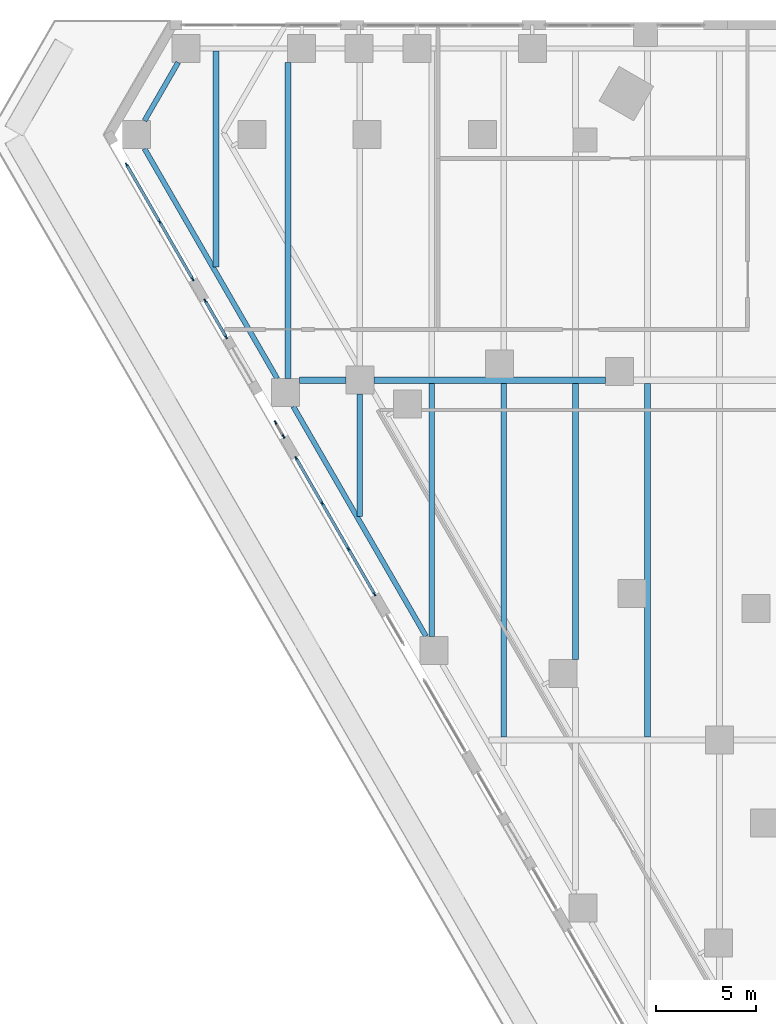
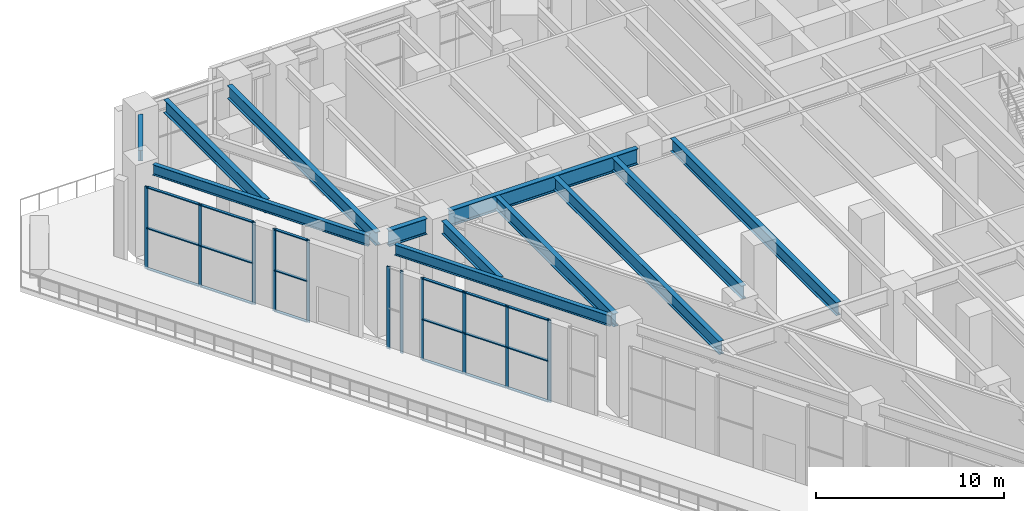
# One storey, part 11 of 40: 29 members, 12 beams, 4 elements without a shape of their own.
"""IFC4 building model written with IfcOpenShell, lengths in metres."""

from ifc_helpers import new_model, si_unit, direction, frame, origin, origin_2d, place, context, subcontext, project, spatial, rectangle, i_section, extrude, material, material_profile, profile_set, type_object, element, aggregate, save


model = new_model("IFC4")

# Units and contexts
model_context = context("Model", 3, precision=1e-05, world=origin(), true_north=direction((0.0, 1.0)))
body_context = subcontext(model_context, "Body", "Model", "MODEL_VIEW")
ifc_project = project(units=[si_unit("LENGTHUNIT", "METRE"), si_unit("AREAUNIT", "SQUARE_METRE"), si_unit("VOLUMEUNIT", "CUBIC_METRE"), si_unit("PLANEANGLEUNIT", "RADIAN"), si_unit("MASSUNIT", "GRAM", prefix="KILO")], contexts=[model_context])

# Site, building, storey
site_placement = place(None, origin())
site = spatial("IfcSite", under=ifc_project, at=site_placement, CompositionType="ELEMENT")
building_placement = place(site_placement, origin())
building = spatial("IfcBuilding", under=site, at=building_placement, Name="Aloe Facet Convention Tower", CompositionType="ELEMENT")
storey_placement = place(building_placement, frame((0.0, 0.0, 13.5)))
storey = spatial("IfcBuildingStorey", under=building, at=storey_placement, Name="L02", CompositionType="ELEMENT", Elevation=13.5)

# Curtain wall, members
ifc_material_1 = material(Name="Aluminium, anodised", Category="aluminium")
curtain_wall_type = type_object("IfcCurtainWallType", Name="EV-CW-HALL", PredefinedType="USERDEFINED", material=ifc_material_1)
curtain_wall_1_placement = place(storey_placement, origin())
curtain_wall_1 = element("IfcCurtainWall", 1, at=curtain_wall_1_placement, inside=storey, type_object=curtain_wall_type, Name="CW-L02-W02", ObjectType="UNITISED HALL GLAZING", PredefinedType="USERDEFINED")
ifc_material_2 = material(Name="Aluminium, anodised", Category="aluminium")
ifc_material_profile_1 = material_profile(ifc_material_2, rectangle(XDim=0.06494140625, YDim=0.199951171875, at=origin_2d()), Name="AL 65x200")
ifc_profile_set_1 = profile_set([ifc_material_profile_1], Name="Aluminium, anodised")
member_type_1 = type_object("IfcMemberType", Name="EV-MULL-HALL", PredefinedType="MULLION", material=ifc_profile_set_1)
member_1_placement = place(storey_placement, frame((32.333740234375, 127.781005859375, -0.300048828125), z_axis=(0.0, 0.0, 1.0), x_axis=(0.866025403828, 0.499999999924, 0.0)))
member_1 = element("IfcMember", 2, at=member_1_placement, type_object=member_type_1, Name="CW-L02-W02 mullion 1", PredefinedType="MULLION", context=body_context, shape_type="SweptSolid", body=[
    extrude(rectangle(XDim=0.06494140625, YDim=0.199951171875, at=origin_2d()), origin(), (0.0, 0.0, 1.0), 5.362548828125),
])
member_2_placement = place(storey_placement, frame((33.98388671875, 124.9228515625, -0.300048828125), z_axis=(0.0, 0.0, 1.0), x_axis=(0.866025403828, 0.499999999924, 0.0)))
member_2 = element("IfcMember", 3, at=member_2_placement, type_object=member_type_1, Name="CW-L02-W02 mullion 2", PredefinedType="MULLION", context=body_context, shape_type="SweptSolid", body=[
    extrude(rectangle(XDim=0.06494140625, YDim=0.199951171875, at=origin_2d()), origin(), (0.0, 0.0, 1.0), 5.362548828125),
])
member_3_placement = place(storey_placement, frame((35.634033203125, 122.064697265625, -0.300048828125), z_axis=(0.0, 0.0, 1.0), x_axis=(0.866025403828, 0.499999999924, 0.0)))
member_3 = element("IfcMember", 4, at=member_3_placement, type_object=member_type_1, Name="CW-L02-W02 mullion 3", PredefinedType="MULLION", context=body_context, shape_type="SweptSolid", body=[
    extrude(rectangle(XDim=0.06494140625, YDim=0.199951171875, at=origin_2d()), origin(), (0.0, 0.0, 1.0), 5.362548828125),
])

curtain_wall_2_placement = place(storey_placement, origin())
curtain_wall_2 = element("IfcCurtainWall", 5, at=curtain_wall_2_placement, inside=storey, type_object=curtain_wall_type, Name="CW-L02-W04A", ObjectType="UNITISED HALL GLAZING", PredefinedType="USERDEFINED")
member_4_placement = place(storey_placement, frame((36.2666015625, 120.96923828125, -0.300048828125), z_axis=(0.0, 0.0, 1.0), x_axis=(0.866025403933, 0.499999999743, 0.0)))
member_4 = element("IfcMember", 6, at=member_4_placement, type_object=member_type_1, Name="CW-L02-W04A mullion 1", PredefinedType="MULLION", context=body_context, shape_type="SweptSolid", body=[
    extrude(rectangle(XDim=0.06494140625, YDim=0.199951171875, at=origin_2d()), origin(), (0.0, 0.0, 1.0), 5.362548828125),
])
member_5_placement = place(storey_placement, frame((37.30859375, 119.1640625, -0.300048828125), z_axis=(0.0, 0.0, 1.0), x_axis=(0.866025403933, 0.499999999743, 0.0)))
member_5 = element("IfcMember", 7, at=member_5_placement, type_object=member_type_1, Name="CW-L02-W04A mullion 2", PredefinedType="MULLION", context=body_context, shape_type="SweptSolid", body=[
    extrude(rectangle(XDim=0.06494140625, YDim=0.199951171875, at=origin_2d()), origin(), (0.0, 0.0, 1.0), 5.362548828125),
])

curtain_wall_3_placement = place(storey_placement, origin())
curtain_wall_3 = element("IfcCurtainWall", 8, at=curtain_wall_3_placement, inside=storey, type_object=curtain_wall_type, Name="CW-L02-W04B", ObjectType="UNITISED HALL GLAZING", PredefinedType="USERDEFINED")
member_6_placement = place(storey_placement, frame((39.781005859375, 114.882080078125, -0.300048828125), z_axis=(0.0, 0.0, 1.0), x_axis=(0.866025403671, 0.500000000196, 0.0)))
member_6 = element("IfcMember", 9, at=member_6_placement, type_object=member_type_1, Name="CW-L02-W04B mullion 1", PredefinedType="MULLION", context=body_context, shape_type="SweptSolid", body=[
    extrude(rectangle(XDim=0.06494140625, YDim=0.199951171875, at=origin_2d()), origin(), (0.0, 0.0, 1.0), 5.362548828125),
])
member_7_placement = place(storey_placement, frame((40.183349609375, 114.184814453125, -0.300048828125), z_axis=(0.0, 0.0, 1.0), x_axis=(0.866025403671, 0.500000000196, 0.0)))
member_7 = element("IfcMember", 10, at=member_7_placement, type_object=member_type_1, Name="CW-L02-W04B mullion 2", PredefinedType="MULLION", context=body_context, shape_type="SweptSolid", body=[
    extrude(rectangle(XDim=0.06494140625, YDim=0.199951171875, at=origin_2d()), origin(), (0.0, 0.0, 1.0), 5.362548828125),
])
aggregate(curtain_wall_3, [member_6, member_7])

curtain_wall_4_placement = place(storey_placement, origin())
curtain_wall_4 = element("IfcCurtainWall", 11, at=curtain_wall_4_placement, inside=storey, type_object=curtain_wall_type, Name="CW-L02-W06", ObjectType="UNITISED HALL GLAZING", PredefinedType="USERDEFINED")
member_8_placement = place(storey_placement, frame((40.81591796875, 113.08935546875, -0.300048828125), z_axis=(0.0, 0.0, 1.0), x_axis=(0.866025403793, 0.499999999985, 0.0)))
member_8 = element("IfcMember", 12, at=member_8_placement, type_object=member_type_1, Name="CW-L02-W06 mullion 1", PredefinedType="MULLION", context=body_context, shape_type="SweptSolid", body=[
    extrude(rectangle(XDim=0.06494140625, YDim=0.199951171875, at=origin_2d()), origin(), (0.0, 0.0, 1.0), 5.362548828125),
])
member_9_placement = place(storey_placement, frame((42.1162109375, 110.83740234375, -0.300048828125), z_axis=(0.0, 0.0, 1.0), x_axis=(0.866025403793, 0.499999999985, 0.0)))
member_9 = element("IfcMember", 13, at=member_9_placement, type_object=member_type_1, Name="CW-L02-W06 mullion 2", PredefinedType="MULLION", context=body_context, shape_type="SweptSolid", body=[
    extrude(rectangle(XDim=0.06494140625, YDim=0.199951171875, at=origin_2d()), origin(), (0.0, 0.0, 1.0), 5.362548828125),
])
member_10_placement = place(storey_placement, frame((43.4326171875, 108.55712890625, -0.300048828125), z_axis=(0.0, 0.0, 1.0), x_axis=(0.866025403793, 0.499999999985, 0.0)))
member_10 = element("IfcMember", 14, at=member_10_placement, type_object=member_type_1, Name="CW-L02-W06 mullion 3", PredefinedType="MULLION", context=body_context, shape_type="SweptSolid", body=[
    extrude(rectangle(XDim=0.06494140625, YDim=0.199951171875, at=origin_2d()), origin(), (0.0, 0.0, 1.0), 5.362548828125),
])
member_11_placement = place(storey_placement, frame((44.73291015625, 106.30517578125, -0.300048828125), z_axis=(0.0, 0.0, 1.0), x_axis=(0.866025403793, 0.499999999985, 0.0)))
member_11 = element("IfcMember", 15, at=member_11_placement, type_object=member_type_1, Name="CW-L02-W06 mullion 4", PredefinedType="MULLION", context=body_context, shape_type="SweptSolid", body=[
    extrude(rectangle(XDim=0.06494140625, YDim=0.199951171875, at=origin_2d()), origin(), (0.0, 0.0, 1.0), 5.362548828125),
])

# Member
ifc_material_3 = material(Name="Aluminium, anodised", Category="aluminium")
ifc_material_profile_2 = material_profile(ifc_material_3, rectangle(XDim=0.159912109375, YDim=0.06494140625, at=origin_2d()), Name="AL 160x65")
ifc_profile_set_2 = profile_set([ifc_material_profile_2], Name="Aluminium, anodised")
member_type_2 = type_object("IfcMemberType", Name="EV-TRAN-HALL", PredefinedType="USERDEFINED", material=ifc_profile_set_2)
member_12_placement = place(storey_placement, frame((32.349853515625, 127.7529296875, -0.267578125), z_axis=(0.499985905884, -0.866033540873, 0.0), x_axis=(0.866033540873, 0.499985905884, 0.0)))
member_12 = element("IfcMember", 16, at=member_12_placement, type_object=member_type_2, Name="CW-L02-W02 transom 1.1", ObjectType="TRANSOM", PredefinedType="USERDEFINED", context=body_context, shape_type="SweptSolid", body=[
    extrude(rectangle(XDim=0.159912109375, YDim=0.06494140625, at=origin_2d()), origin(), (0.0, 0.0, 1.0), 3.2353515625),
])

member_13_placement = place(storey_placement, frame((32.349853515625, 127.7529296875, 2.38134765625), z_axis=(0.499985905884, -0.866033540873, 0.0), x_axis=(0.866033540873, 0.499985905884, 0.0)))
member_13 = element("IfcMember", 17, at=member_13_placement, type_object=member_type_2, Name="CW-L02-W02 transom 1.2", ObjectType="TRANSOM", PredefinedType="USERDEFINED", context=body_context, shape_type="SweptSolid", body=[
    extrude(rectangle(XDim=0.159912109375, YDim=0.06494140625, at=origin_2d()), origin(), (0.0, 0.0, 1.0), 3.2353515625),
])

member_14_placement = place(storey_placement, frame((32.349853515625, 127.7529296875, 5.030029296875), z_axis=(0.499985905884, -0.866033540873, 0.0), x_axis=(0.866033540873, 0.499985905884, 0.0)))
member_14 = element("IfcMember", 18, at=member_14_placement, type_object=member_type_2, Name="CW-L02-W02 transom 1.3", ObjectType="TRANSOM", PredefinedType="USERDEFINED", context=body_context, shape_type="SweptSolid", body=[
    extrude(rectangle(XDim=0.159912109375, YDim=0.06494140625, at=origin_2d()), origin(), (0.0, 0.0, 1.0), 3.2353515625),
])

member_15_placement = place(storey_placement, frame((34.0, 124.894775390625, -0.267578125), z_axis=(0.499985905884, -0.866033540873, 0.0), x_axis=(0.866033540873, 0.499985905884, 0.0)))
member_15 = element("IfcMember", 19, at=member_15_placement, type_object=member_type_2, Name="CW-L02-W02 transom 2.1", ObjectType="TRANSOM", PredefinedType="USERDEFINED", context=body_context, shape_type="SweptSolid", body=[
    extrude(rectangle(XDim=0.159912109375, YDim=0.06494140625, at=origin_2d()), origin(), (0.0, 0.0, 1.0), 3.2353515625),
])

member_16_placement = place(storey_placement, frame((34.0, 124.894775390625, 2.38134765625), z_axis=(0.499985905884, -0.866033540873, 0.0), x_axis=(0.866033540873, 0.499985905884, 0.0)))
member_16 = element("IfcMember", 20, at=member_16_placement, type_object=member_type_2, Name="CW-L02-W02 transom 2.2", ObjectType="TRANSOM", PredefinedType="USERDEFINED", context=body_context, shape_type="SweptSolid", body=[
    extrude(rectangle(XDim=0.159912109375, YDim=0.06494140625, at=origin_2d()), origin(), (0.0, 0.0, 1.0), 3.2353515625),
])

member_17_placement = place(storey_placement, frame((34.0, 124.894775390625, 5.030029296875), z_axis=(0.499985905884, -0.866033540873, 0.0), x_axis=(0.866033540873, 0.499985905884, 0.0)))
member_17 = element("IfcMember", 21, at=member_17_placement, type_object=member_type_2, Name="CW-L02-W02 transom 2.3", ObjectType="TRANSOM", PredefinedType="USERDEFINED", context=body_context, shape_type="SweptSolid", body=[
    extrude(rectangle(XDim=0.159912109375, YDim=0.06494140625, at=origin_2d()), origin(), (0.0, 0.0, 1.0), 3.2353515625),
])

aggregate(curtain_wall_1, [member_1, member_2, member_3, member_12, member_13, member_14, member_15, member_16, member_17])

member_18_placement = place(storey_placement, frame((36.28271484375, 120.94091796875, -0.267578125), z_axis=(0.500039898246, -0.866002367296, 0.0), x_axis=(0.866002367296, 0.500039898246, 0.0)))
member_18 = element("IfcMember", 22, at=member_18_placement, type_object=member_type_2, Name="CW-L02-W04A transom 1.1", ObjectType="TRANSOM", PredefinedType="USERDEFINED", context=body_context, shape_type="SweptSolid", body=[
    extrude(rectangle(XDim=0.159912109375, YDim=0.06494140625, at=origin_2d()), origin(), (0.0, 0.0, 1.0), 2.019287109375),
])

member_19_placement = place(storey_placement, frame((36.28271484375, 120.94091796875, 2.38134765625), z_axis=(0.500039898246, -0.866002367296, 0.0), x_axis=(0.866002367296, 0.500039898246, 0.0)))
member_19 = element("IfcMember", 23, at=member_19_placement, type_object=member_type_2, Name="CW-L02-W04A transom 1.2", ObjectType="TRANSOM", PredefinedType="USERDEFINED", context=body_context, shape_type="SweptSolid", body=[
    extrude(rectangle(XDim=0.159912109375, YDim=0.06494140625, at=origin_2d()), origin(), (0.0, 0.0, 1.0), 2.019287109375),
])

member_20_placement = place(storey_placement, frame((36.28271484375, 120.94091796875, 5.030029296875), z_axis=(0.500039898246, -0.866002367296, 0.0), x_axis=(0.866002367296, 0.500039898246, 0.0)))
member_20 = element("IfcMember", 24, at=member_20_placement, type_object=member_type_2, Name="CW-L02-W04A transom 1.3", ObjectType="TRANSOM", PredefinedType="USERDEFINED", context=body_context, shape_type="SweptSolid", body=[
    extrude(rectangle(XDim=0.159912109375, YDim=0.06494140625, at=origin_2d()), origin(), (0.0, 0.0, 1.0), 2.019287109375),
])

aggregate(curtain_wall_2, [member_4, member_5, member_18, member_19, member_20])

member_21_placement = place(storey_placement, frame((40.83203125, 113.061279296875, -0.267578125), z_axis=(0.500022507987, -0.866012408402, 0.0), x_axis=(0.866012408402, 0.500022507987, 0.0)))
member_21 = element("IfcMember", 25, at=member_21_placement, type_object=member_type_2, Name="CW-L02-W06 transom 1.1", ObjectType="TRANSOM", PredefinedType="USERDEFINED", context=body_context, shape_type="SweptSolid", body=[
    extrude(rectangle(XDim=0.159912109375, YDim=0.06494140625, at=origin_2d()), origin(), (0.0, 0.0, 1.0), 2.53564453125),
])

member_22_placement = place(storey_placement, frame((40.83203125, 113.061279296875, 2.38134765625), z_axis=(0.500022507987, -0.866012408402, 0.0), x_axis=(0.866012408402, 0.500022507987, 0.0)))
member_22 = element("IfcMember", 26, at=member_22_placement, type_object=member_type_2, Name="CW-L02-W06 transom 1.2", ObjectType="TRANSOM", PredefinedType="USERDEFINED", context=body_context, shape_type="SweptSolid", body=[
    extrude(rectangle(XDim=0.159912109375, YDim=0.06494140625, at=origin_2d()), origin(), (0.0, 0.0, 1.0), 2.53564453125),
])

member_23_placement = place(storey_placement, frame((40.83203125, 113.061279296875, 5.030029296875), z_axis=(0.500022507987, -0.866012408402, 0.0), x_axis=(0.866012408402, 0.500022507987, 0.0)))
member_23 = element("IfcMember", 27, at=member_23_placement, type_object=member_type_2, Name="CW-L02-W06 transom 1.3", ObjectType="TRANSOM", PredefinedType="USERDEFINED", context=body_context, shape_type="SweptSolid", body=[
    extrude(rectangle(XDim=0.159912109375, YDim=0.06494140625, at=origin_2d()), origin(), (0.0, 0.0, 1.0), 2.53564453125),
])

member_24_placement = place(storey_placement, frame((42.13232421875, 110.80908203125, -0.267578125), z_axis=(0.499994038704, -0.866028845513, 0.0), x_axis=(0.866028845513, 0.499994038704, 0.0)))
member_24 = element("IfcMember", 28, at=member_24_placement, type_object=member_type_2, Name="CW-L02-W06 transom 2.1", ObjectType="TRANSOM", PredefinedType="USERDEFINED", context=body_context, shape_type="SweptSolid", body=[
    extrude(rectangle(XDim=0.159912109375, YDim=0.06494140625, at=origin_2d()), origin(), (0.0, 0.0, 1.0), 2.56787109375),
])

member_25_placement = place(storey_placement, frame((42.13232421875, 110.80908203125, 2.38134765625), z_axis=(0.499994038704, -0.866028845513, 0.0), x_axis=(0.866028845513, 0.499994038704, 0.0)))
member_25 = element("IfcMember", 29, at=member_25_placement, type_object=member_type_2, Name="CW-L02-W06 transom 2.2", ObjectType="TRANSOM", PredefinedType="USERDEFINED", context=body_context, shape_type="SweptSolid", body=[
    extrude(rectangle(XDim=0.159912109375, YDim=0.06494140625, at=origin_2d()), origin(), (0.0, 0.0, 1.0), 2.56787109375),
])

member_26_placement = place(storey_placement, frame((42.13232421875, 110.80908203125, 5.030029296875), z_axis=(0.499994038704, -0.866028845513, 0.0), x_axis=(0.866028845513, 0.499994038704, 0.0)))
member_26 = element("IfcMember", 30, at=member_26_placement, type_object=member_type_2, Name="CW-L02-W06 transom 2.3", ObjectType="TRANSOM", PredefinedType="USERDEFINED", context=body_context, shape_type="SweptSolid", body=[
    extrude(rectangle(XDim=0.159912109375, YDim=0.06494140625, at=origin_2d()), origin(), (0.0, 0.0, 1.0), 2.56787109375),
])

member_27_placement = place(storey_placement, frame((43.44873046875, 108.529052734375, -0.267578125), z_axis=(0.500022507987, -0.866012408402, 0.0), x_axis=(0.866012408402, 0.500022507987, 0.0)))
member_27 = element("IfcMember", 31, at=member_27_placement, type_object=member_type_2, Name="CW-L02-W06 transom 3.1", ObjectType="TRANSOM", PredefinedType="USERDEFINED", context=body_context, shape_type="SweptSolid", body=[
    extrude(rectangle(XDim=0.159912109375, YDim=0.06494140625, at=origin_2d()), origin(), (0.0, 0.0, 1.0), 2.53564453125),
])

member_28_placement = place(storey_placement, frame((43.44873046875, 108.529052734375, 2.38134765625), z_axis=(0.500022507987, -0.866012408402, 0.0), x_axis=(0.866012408402, 0.500022507987, 0.0)))
member_28 = element("IfcMember", 32, at=member_28_placement, type_object=member_type_2, Name="CW-L02-W06 transom 3.2", ObjectType="TRANSOM", PredefinedType="USERDEFINED", context=body_context, shape_type="SweptSolid", body=[
    extrude(rectangle(XDim=0.159912109375, YDim=0.06494140625, at=origin_2d()), origin(), (0.0, 0.0, 1.0), 2.53564453125),
])

member_29_placement = place(storey_placement, frame((43.44873046875, 108.529052734375, 5.030029296875), z_axis=(0.500022507987, -0.866012408402, 0.0), x_axis=(0.866012408402, 0.500022507987, 0.0)))
member_29 = element("IfcMember", 33, at=member_29_placement, type_object=member_type_2, Name="CW-L02-W06 transom 3.3", ObjectType="TRANSOM", PredefinedType="USERDEFINED", context=body_context, shape_type="SweptSolid", body=[
    extrude(rectangle(XDim=0.159912109375, YDim=0.06494140625, at=origin_2d()), origin(), (0.0, 0.0, 1.0), 2.53564453125),
])

aggregate(curtain_wall_4, [member_8, member_9, member_10, member_11, member_21, member_22, member_23, member_24, member_25, member_26, member_27, member_28, member_29])

# Beams
ifc_material_4 = material(Name="Steel S355", Category="steel")
ifc_material_profile_3 = material_profile(ifc_material_4, i_section(OverallWidth=0.305419921875, OverallDepth=1.02587890625, WebThickness=0.02001953125, FlangeThickness=0.031005859375, FilletRadius=0.030029296875, at=origin_2d()), Name="UB 1016x305x349")
ifc_profile_set_3 = profile_set([ifc_material_profile_3], Name="Steel S355")
beam_type_1 = type_object("IfcBeamType", Name="SF-B-UB1016x305x349", PredefinedType="BEAM", material=ifc_profile_set_3)
beam_1_placement = place(storey_placement, frame((40.969970703125, 117.0, 5.237060546875), z_axis=(1.0, 0.0, 0.0), x_axis=(0.0, 1.0, 0.0)))
element("IfcBeam", 34, at=beam_1_placement, inside=storey, type_object=beam_type_1, Name="Floor beam FB-L03-026", PredefinedType="BEAM", context=body_context, shape_type="SweptSolid", body=[
    extrude(i_section(OverallWidth=0.305419921875, OverallDepth=1.02587890625, WebThickness=0.02001953125, FlangeThickness=0.031005859375, FilletRadius=0.030029296875, at=origin_2d()), origin(), (0.0, 0.0, 1.0), 2.330078125),
])
beam_2_placement = place(storey_placement, frame((44.699951171875, 117.0, 5.237060546875), z_axis=(1.0, 0.0, 0.0), x_axis=(0.0, 1.0, 0.0)))
element("IfcBeam", 35, at=beam_2_placement, inside=storey, type_object=beam_type_1, Name="Floor beam FB-L03-027", PredefinedType="BEAM", context=body_context, shape_type="SweptSolid", body=[
    extrude(i_section(OverallWidth=0.305419921875, OverallDepth=1.02587890625, WebThickness=0.02001953125, FlangeThickness=0.031005859375, FilletRadius=0.030029296875, at=origin_2d()), origin(), (0.0, 0.0, 1.0), 11.583984375),
])
ifc_material_5 = material(Name="Steel S355", Category="steel")
ifc_material_profile_4 = material_profile(ifc_material_5, i_section(OverallWidth=0.25439453125, OverallDepth=0.6875, WebThickness=0.01318359375, FlangeThickness=0.02099609375, FilletRadius=0.01513671875, at=origin_2d()), Name="UB 686x254x152")
ifc_profile_set_4 = profile_set([ifc_material_profile_4], Name="Steel S355")
beam_type_2 = type_object("IfcBeamType", Name="SF-B-UB686x254x152", PredefinedType="BEAM", material=ifc_profile_set_4)
beam_3_placement = place(storey_placement, frame((33.2265625, 129.98388671875, 5.40625), z_axis=(0.500006981563, 0.86602137294, 0.0), x_axis=(-0.86602137294, 0.500006981563, 0.0)))
element("IfcBeam", 36, at=beam_3_placement, inside=storey, type_object=beam_type_2, Name="Floor beam FB-L03-001", PredefinedType="BEAM", context=body_context, shape_type="SweptSolid", body=[
    extrude(i_section(OverallWidth=0.25439453125, OverallDepth=0.6875, WebThickness=0.01318359375, FlangeThickness=0.02099609375, FilletRadius=0.01513671875, at=origin_2d()), origin(), (0.0, 0.0, 1.0), 3.3671875),
])
beam_4_placement = place(storey_placement, frame((39.86572265625, 117.0849609375, 5.40625), z_axis=(-0.499997273959, 0.866026977659, 0.0), x_axis=(-0.866026977659, -0.499997273959, 0.0)))
element("IfcBeam", 37, at=beam_4_placement, inside=storey, type_object=beam_type_2, Name="Floor beam FB-L03-003", PredefinedType="BEAM", context=body_context, shape_type="SweptSolid", body=[
    extrude(i_section(OverallWidth=0.25439453125, OverallDepth=0.6875, WebThickness=0.01318359375, FlangeThickness=0.02099609375, FilletRadius=0.01513671875, at=origin_2d()), origin(), (0.0, 0.0, 1.0), 13.27783203125),
])
beam_5_placement = place(storey_placement, frame((47.313720703125, 104.18505859375, 5.40625), z_axis=(-0.50000679685, 0.866021479586, 0.0), x_axis=(-0.866021479586, -0.50000679685, 0.0)))
element("IfcBeam", 38, at=beam_5_placement, inside=storey, type_object=beam_type_2, Name="Floor beam FB-L03-006", PredefinedType="BEAM", context=body_context, shape_type="SweptSolid", body=[
    extrude(i_section(OverallWidth=0.25439453125, OverallDepth=0.6875, WebThickness=0.01318359375, FlangeThickness=0.02099609375, FilletRadius=0.01513671875, at=origin_2d()), origin(), (0.0, 0.0, 1.0), 13.279052734375),
])
ifc_material_6 = material(Name="Steel S355", Category="steel")
ifc_material_profile_5 = material_profile(ifc_material_6, i_section(OverallWidth=0.293701171875, OverallDepth=0.850830078125, WebThickness=0.01611328125, FlangeThickness=0.02685546875, FilletRadius=0.017822265625, at=origin_2d()), Name="UB 838x292x226")
ifc_profile_set_5 = profile_set([ifc_material_profile_5], Name="Steel S355")
beam_type_3 = type_object("IfcBeamType", Name="SF-B-UB838x292x226", PredefinedType="BEAM", material=ifc_profile_set_5)
beam_6_placement = place(storey_placement, frame((36.800048828125, 122.65966796875, 5.324462890625), z_axis=(0.0, 1.0, 0.0), x_axis=(-1.0, 0.0, 0.0)))
element("IfcBeam", 39, at=beam_6_placement, inside=storey, type_object=beam_type_3, Name="Floor beam FB-L03-040", PredefinedType="BEAM", context=body_context, shape_type="SweptSolid", body=[
    extrude(i_section(OverallWidth=0.293701171875, OverallDepth=0.850830078125, WebThickness=0.01611328125, FlangeThickness=0.02685546875, FilletRadius=0.017822265625, at=origin_2d()), origin(), (0.0, 0.0, 1.0), 10.802978515625),
])
beam_7_placement = place(storey_placement, frame((40.39990234375, 117.0849609375, 5.324462890625), z_axis=(0.0, 1.0, 0.0), x_axis=(-1.0, 0.0, 0.0)))
element("IfcBeam", 40, at=beam_7_placement, inside=storey, type_object=beam_type_3, Name="Floor beam FB-L03-041", PredefinedType="BEAM", context=body_context, shape_type="SweptSolid", body=[
    extrude(i_section(OverallWidth=0.293701171875, OverallDepth=0.850830078125, WebThickness=0.01611328125, FlangeThickness=0.02685546875, FilletRadius=0.017822265625, at=origin_2d()), origin(), (0.0, 0.0, 1.0), 15.81494140625),
])
beam_8_placement = place(storey_placement, frame((44.0, 110.18896484375, 5.324462890625), z_axis=(0.0, 1.0, 0.0), x_axis=(-1.0, 0.0, 0.0)))
element("IfcBeam", 41, at=beam_8_placement, inside=storey, type_object=beam_type_3, Name="Floor beam FB-L03-042", PredefinedType="BEAM", context=body_context, shape_type="SweptSolid", body=[
    extrude(i_section(OverallWidth=0.293701171875, OverallDepth=0.850830078125, WebThickness=0.01611328125, FlangeThickness=0.02685546875, FilletRadius=0.017822265625, at=origin_2d()), origin(), (0.0, 0.0, 1.0), 6.111083984375),
])
beam_9_placement = place(storey_placement, frame((47.60009765625, 104.18505859375, 5.324462890625), z_axis=(0.0, 1.0, 0.0), x_axis=(-1.0, 0.0, 0.0)))
element("IfcBeam", 42, at=beam_9_placement, inside=storey, type_object=beam_type_3, Name="Floor beam FB-L03-045", PredefinedType="BEAM", context=body_context, shape_type="SweptSolid", body=[
    extrude(i_section(OverallWidth=0.293701171875, OverallDepth=0.850830078125, WebThickness=0.01611328125, FlangeThickness=0.02685546875, FilletRadius=0.017822265625, at=origin_2d()), origin(), (0.0, 0.0, 1.0), 12.662353515625),
])
beam_10_placement = place(storey_placement, frame((51.199951171875, 99.152587890625, 5.324462890625), z_axis=(0.0, 1.0, 0.0), x_axis=(-1.0, 0.0, 0.0)))
element("IfcBeam", 43, at=beam_10_placement, inside=storey, type_object=beam_type_3, Name="Floor beam FB-L03-048", PredefinedType="BEAM", context=body_context, shape_type="SweptSolid", body=[
    extrude(i_section(OverallWidth=0.293701171875, OverallDepth=0.850830078125, WebThickness=0.01611328125, FlangeThickness=0.02685546875, FilletRadius=0.017822265625, at=origin_2d()), origin(), (0.0, 0.0, 1.0), 17.69482421875),
])
beam_11_placement = place(storey_placement, frame((54.800048828125, 103.02490234375, 5.324462890625), z_axis=(0.0, 1.0, 0.0), x_axis=(-1.0, 0.0, 0.0)))
element("IfcBeam", 44, at=beam_11_placement, inside=storey, type_object=beam_type_3, Name="Floor beam FB-L03-052", PredefinedType="BEAM", context=body_context, shape_type="SweptSolid", body=[
    extrude(i_section(OverallWidth=0.293701171875, OverallDepth=0.850830078125, WebThickness=0.01611328125, FlangeThickness=0.02685546875, FilletRadius=0.017822265625, at=origin_2d()), origin(), (0.0, 0.0, 1.0), 13.822509765625),
])
beam_12_placement = place(storey_placement, frame((58.39990234375, 99.152587890625, 5.324462890625), z_axis=(0.0, 1.0, 0.0), x_axis=(-1.0, 0.0, 0.0)))
element("IfcBeam", 45, at=beam_12_placement, inside=storey, type_object=beam_type_3, Name="Floor beam FB-L03-056", PredefinedType="BEAM", context=body_context, shape_type="SweptSolid", body=[
    extrude(i_section(OverallWidth=0.293701171875, OverallDepth=0.850830078125, WebThickness=0.01611328125, FlangeThickness=0.02685546875, FilletRadius=0.017822265625, at=origin_2d()), origin(), (0.0, 0.0, 1.0), 17.69482421875),
])

save(model, "model.ifc")
